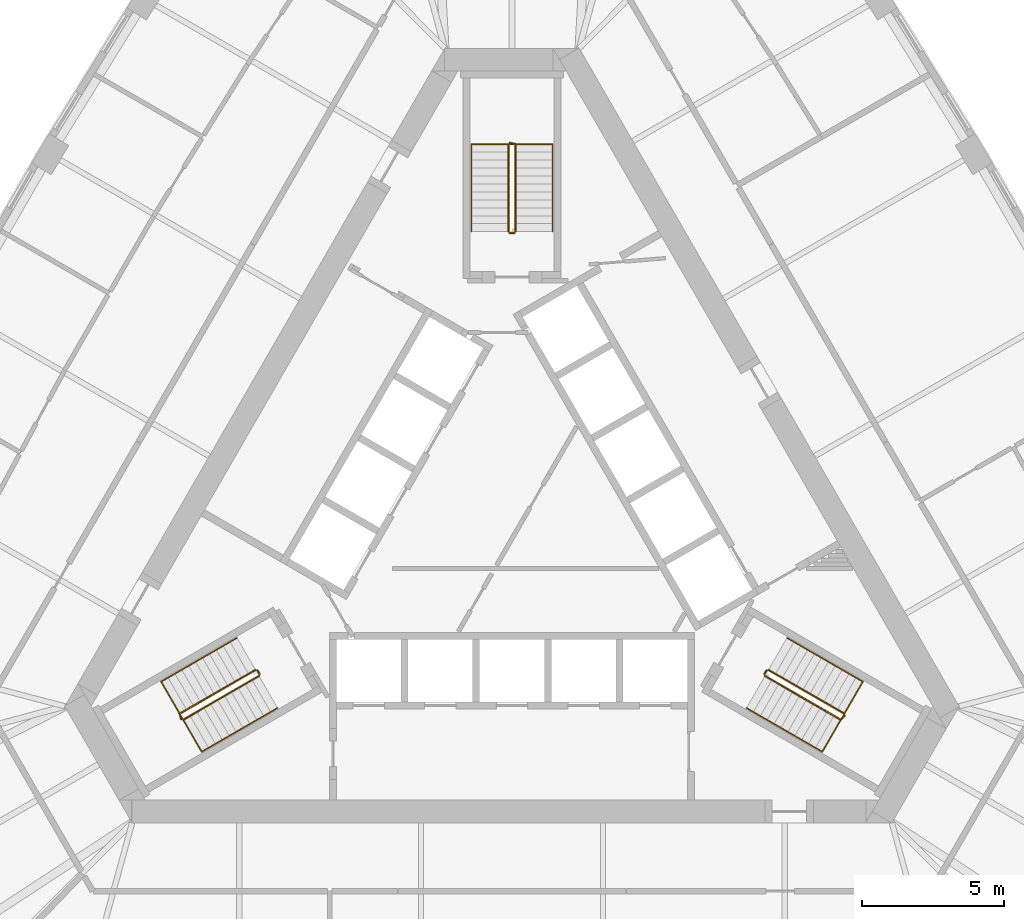
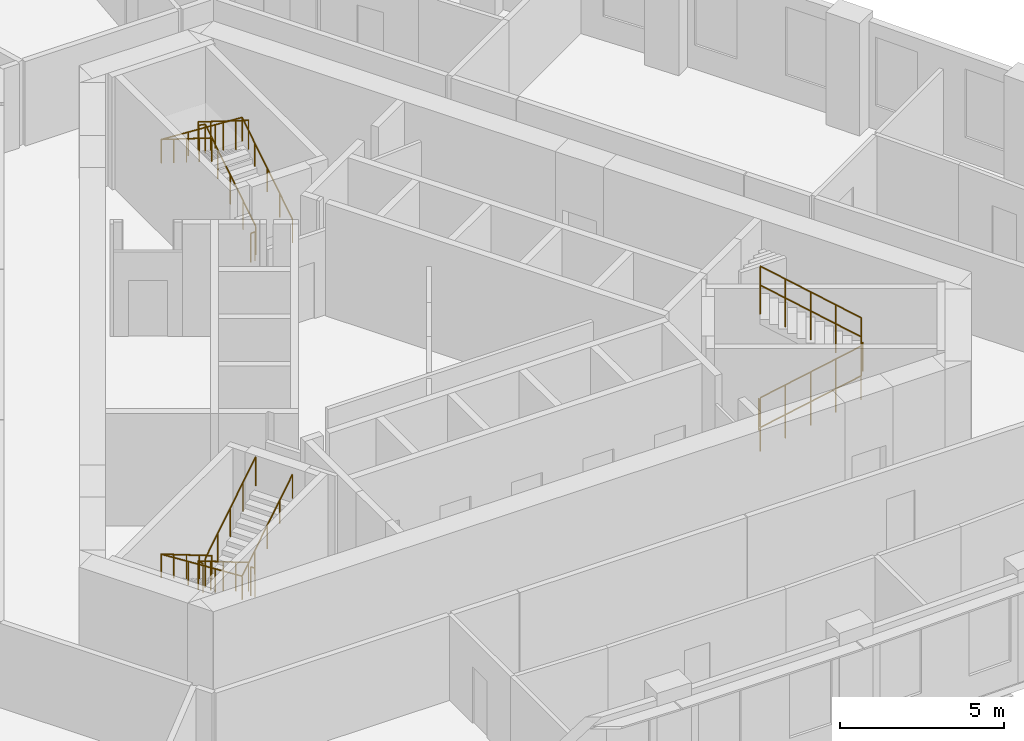
# One storey, part 11 of 11: 12 railings.
"""IFC4 building model written with IfcOpenShell, lengths in metres."""

from ifc_helpers import new_model, si_unit, direction, frame, origin, origin_2d, place, context, subcontext, project, spatial, circle, extrude, material, type_object, element, save


model = new_model("IFC4")

# Units and contexts
model_context = context("Model", 3, precision=1e-05, world=origin(), true_north=direction((0.0, 1.0)))
body_context = subcontext(model_context, "Body", "Model", "MODEL_VIEW")
ifc_project = project(units=[si_unit("LENGTHUNIT", "METRE"), si_unit("AREAUNIT", "SQUARE_METRE"), si_unit("VOLUMEUNIT", "CUBIC_METRE"), si_unit("PLANEANGLEUNIT", "RADIAN"), si_unit("MASSUNIT", "GRAM", prefix="KILO")], contexts=[model_context])

# Site, building, storey
site_placement = place(None, origin())
site = spatial("IfcSite", under=ifc_project, at=site_placement, CompositionType="ELEMENT")
building_placement = place(site_placement, origin())
building = spatial("IfcBuilding", under=site, at=building_placement, Name="Mestral Congress Tower", CompositionType="ELEMENT")
storey_placement = place(building_placement, frame((0.0, 0.0, 166.800048828125)))
storey = spatial("IfcBuildingStorey", under=building, at=storey_placement, Name="L39", CompositionType="ELEMENT", Elevation=166.800048828125)

# Railings
ifc_material_1 = material(Name="Steel balustrade", Category="steel")
railing_type_1 = type_object("IfcRailingType", Name="Stair guard 1100", PredefinedType="GUARDRAIL", material=ifc_material_1)
railing_1_placement = place(storey_placement, frame((8.90087890625, -5.283203125, 0.175048828125)))
element("IfcRailing", 1, at=railing_1_placement, inside=storey, type_object=railing_type_1, Name="L39 ST1 stair guard 1", PredefinedType="GUARDRAIL", context=body_context, shape_type="SweptSolid", body=[
    extrude(circle(Radius=0.02392578125, at=origin_2d()), frame((0.0, 0.0, 1.076171875), z_axis=(0.734390191396, -0.42403051051, 0.529970917068), x_axis=(0.500026652407, 0.866010015463, 0.0)), (0.0, 0.0, 1.0), 3.6318359375),
    extrude(circle(Radius=0.02392578125, at=origin_2d()), frame((2.667236328125, -1.5400390625, 3.0009765625), z_axis=(0.695164929852, 0.718850276695, 0.0), x_axis=(-0.718850276695, 0.695164929852, 0.0)), (0.0, 0.0, 1.0), 0.2060546875),
    extrude(circle(Radius=0.02099609375, at=origin_2d()), origin(), (0.0, 0.0, 1.0), 1.052001953125),
    extrude(circle(Radius=0.02099609375, at=origin_2d()), frame((0.666748046875, -0.385009765625, 0.481201171875)), (0.0, 0.0, 1.0), 1.052001953125),
    extrude(circle(Radius=0.02099609375, at=origin_2d()), frame((1.33349609375, -0.77001953125, 0.96240234375)), (0.0, 0.0, 1.0), 1.052001953125),
    extrude(circle(Radius=0.02099609375, at=origin_2d()), frame((2.00048828125, -1.155029296875, 1.443603515625)), (0.0, 0.0, 1.0), 1.052001953125),
    extrude(circle(Radius=0.02099609375, at=origin_2d()), frame((2.667236328125, -1.5400390625, 1.9248046875)), (0.0, 0.0, 1.0), 1.052001953125),
    extrude(circle(Radius=0.02099609375, at=origin_2d()), frame((2.810546875, -1.391845703125, 1.9248046875)), (0.0, 0.0, 1.0), 1.052001953125),
])
railing_2_placement = place(storey_placement, frame((11.693115234375, -6.606689453125, 2.27490234375)))
element("IfcRailing", 2, at=railing_2_placement, inside=storey, type_object=railing_type_1, Name="L39 ST1 stair guard 2", PredefinedType="GUARDRAIL", context=body_context, shape_type="SweptSolid", body=[
    extrude(circle(Radius=0.02392578125, at=origin_2d()), frame((0.0, 0.0, 1.076171875), z_axis=(-0.734364028329, 0.424015404183, 0.530019255228), x_axis=(-0.500026652407, -0.866010015463, 0.0)), (0.0, 0.0, 1.0), 3.632080078125),
    extrude(circle(Radius=0.02099609375, at=origin_2d()), origin(), (0.0, 0.0, 1.0), 1.052001953125),
    extrude(circle(Radius=0.02099609375, at=origin_2d()), frame((-0.666748046875, 0.385009765625, 0.481201171875)), (0.0, 0.0, 1.0), 1.052001953125),
    extrude(circle(Radius=0.02099609375, at=origin_2d()), frame((-1.33349609375, 0.77001953125, 0.96240234375)), (0.0, 0.0, 1.0), 1.052001953125),
    extrude(circle(Radius=0.02099609375, at=origin_2d()), frame((-2.00048828125, 1.155029296875, 1.44384765625)), (0.0, 0.0, 1.0), 1.052001953125),
    extrude(circle(Radius=0.02099609375, at=origin_2d()), frame((-2.667236328125, 1.5400390625, 1.925048828125)), (0.0, 0.0, 1.0), 1.052001953125),
])
railing_3_placement = place(storey_placement, frame((8.882568359375, -5.21484375, 0.0)))
element("IfcRailing", 3, at=railing_3_placement, inside=storey, type_object=railing_type_1, Name="L39 ST1 stair guard 3", PredefinedType="GUARDRAIL", context=body_context, shape_type="SweptSolid", body=[
    extrude(circle(Radius=0.02392578125, at=origin_2d()), frame((0.0, 0.0, 1.076171875), z_axis=(0.499816412211, 0.866131372301, 0.0), x_axis=(-0.866131372301, 0.499816412211, 0.0)), (0.0, 0.0, 1.0), 0.14990234375),
    extrude(circle(Radius=0.02099609375, at=origin_2d()), origin(), (0.0, 0.0, 1.0), 1.052001953125),
    extrude(circle(Radius=0.02099609375, at=origin_2d()), frame((0.074951171875, 0.1298828125, 0.0)), (0.0, 0.0, 1.0), 1.052001953125),
])
railing_4_placement = place(storey_placement, frame((0.125, 10.35009765625, 0.175048828125)))
element("IfcRailing", 4, at=railing_4_placement, inside=storey, type_object=railing_type_1, Name="L39 ST2 stair guard 1", PredefinedType="GUARDRAIL", context=body_context, shape_type="SweptSolid", body=[
    extrude(circle(Radius=0.02392578125, at=origin_2d()), frame((0.0, 0.0, 1.076171875), z_axis=(0.0, 0.848009633417, 0.529980812513), x_axis=(-1.0, 0.0, 0.0)), (0.0, 0.0, 1.0), 3.6318359375),
    extrude(circle(Radius=0.02392578125, at=origin_2d()), frame((0.0, 3.079833984375, 3.0009765625), z_axis=(-0.970072785993, 0.242814311512, 0.0), x_axis=(-0.242814311512, -0.970072785993, 0.0)), (0.0, 0.0, 1.0), 0.2060546875),
    extrude(circle(Radius=0.02099609375, at=origin_2d()), origin(), (0.0, 0.0, 1.0), 1.052001953125),
    extrude(circle(Radius=0.02099609375, at=origin_2d()), frame((0.0, 0.77001953125, 0.481201171875)), (0.0, 0.0, 1.0), 1.052001953125),
    extrude(circle(Radius=0.02099609375, at=origin_2d()), frame((0.0, 1.5400390625, 0.96240234375)), (0.0, 0.0, 1.0), 1.052001953125),
    extrude(circle(Radius=0.02099609375, at=origin_2d()), frame((0.0, 2.309814453125, 1.443603515625)), (0.0, 0.0, 1.0), 1.052001953125),
    extrude(circle(Radius=0.02099609375, at=origin_2d()), frame((0.0, 3.079833984375, 1.9248046875)), (0.0, 0.0, 1.0), 1.052001953125),
    extrude(circle(Radius=0.02099609375, at=origin_2d()), frame((-0.199951171875, 3.1298828125, 1.9248046875)), (0.0, 0.0, 1.0), 1.052001953125),
])
railing_5_placement = place(storey_placement, frame((-0.125, 13.429931640625, 2.27490234375)))
element("IfcRailing", 5, at=railing_5_placement, inside=storey, type_object=railing_type_1, Name="L39 ST2 stair guard 2", PredefinedType="GUARDRAIL", context=body_context, shape_type="SweptSolid", body=[
    extrude(circle(Radius=0.02392578125, at=origin_2d()), frame((0.0, 0.0, 1.076171875), z_axis=(0.0, -0.847979421464, 0.530029150871), x_axis=(1.0, 0.0, 0.0)), (0.0, 0.0, 1.0), 3.632080078125),
    extrude(circle(Radius=0.02099609375, at=origin_2d()), origin(), (0.0, 0.0, 1.0), 1.052001953125),
    extrude(circle(Radius=0.02099609375, at=origin_2d()), frame((0.0, -0.77001953125, 0.481201171875)), (0.0, 0.0, 1.0), 1.052001953125),
    extrude(circle(Radius=0.02099609375, at=origin_2d()), frame((0.0, -1.5400390625, 0.96240234375)), (0.0, 0.0, 1.0), 1.052001953125),
    extrude(circle(Radius=0.02099609375, at=origin_2d()), frame((0.0, -2.309814453125, 1.44384765625)), (0.0, 0.0, 1.0), 1.052001953125),
    extrude(circle(Radius=0.02099609375, at=origin_2d()), frame((0.0, -3.079833984375, 1.925048828125)), (0.0, 0.0, 1.0), 1.052001953125),
])
railing_6_placement = place(storey_placement, frame((0.074951171875, 10.300048828125, 0.0)))
element("IfcRailing", 6, at=railing_6_placement, inside=storey, type_object=railing_type_1, Name="L39 ST2 stair guard 3", PredefinedType="GUARDRAIL", context=body_context, shape_type="SweptSolid", body=[
    extrude(circle(Radius=0.02392578125, at=origin_2d()), frame((0.0, 0.0, 1.076171875), z_axis=(-1.0, 0.0, 0.0), x_axis=(0.0, -1.0, 0.0)), (0.0, 0.0, 1.0), 0.14990234375),
    extrude(circle(Radius=0.02099609375, at=origin_2d()), origin(), (0.0, 0.0, 1.0), 1.052001953125),
    extrude(circle(Radius=0.02099609375, at=origin_2d()), frame((-0.14990234375, 0.0, 0.0)), (0.0, 0.0, 1.0), 1.052001953125),
])
railing_7_placement = place(storey_placement, frame((-9.02587890625, -5.066650390625, 0.175048828125)))
element("IfcRailing", 7, at=railing_7_placement, inside=storey, type_object=railing_type_1, Name="L39 ST3 stair guard 1", PredefinedType="GUARDRAIL", context=body_context, shape_type="SweptSolid", body=[
    extrude(circle(Radius=0.02392578125, at=origin_2d()), frame((0.0, 0.0, 1.076171875), z_axis=(-0.734390191396, -0.42403051051, 0.529970917068), x_axis=(0.500026652407, -0.866010015463, 0.0)), (0.0, 0.0, 1.0), 3.6318359375),
    extrude(circle(Radius=0.02392578125, at=origin_2d()), frame((-2.667236328125, -1.5400390625, 3.0009765625), z_axis=(0.274721127897, -0.961523947641, 0.0), x_axis=(0.961523947641, 0.274721127897, 0.0)), (0.0, 0.0, 1.0), 0.2060546875),
    extrude(circle(Radius=0.02099609375, at=origin_2d()), origin(), (0.0, 0.0, 1.0), 1.052001953125),
    extrude(circle(Radius=0.02099609375, at=origin_2d()), frame((-0.666748046875, -0.385009765625, 0.481201171875)), (0.0, 0.0, 1.0), 1.052001953125),
    extrude(circle(Radius=0.02099609375, at=origin_2d()), frame((-1.33349609375, -0.77001953125, 0.96240234375)), (0.0, 0.0, 1.0), 1.052001953125),
    extrude(circle(Radius=0.02099609375, at=origin_2d()), frame((-2.00048828125, -1.155029296875, 1.443603515625)), (0.0, 0.0, 1.0), 1.052001953125),
    extrude(circle(Radius=0.02099609375, at=origin_2d()), frame((-2.667236328125, -1.5400390625, 1.9248046875)), (0.0, 0.0, 1.0), 1.052001953125),
    extrude(circle(Radius=0.02099609375, at=origin_2d()), frame((-2.610595703125, -1.73828125, 1.9248046875)), (0.0, 0.0, 1.0), 1.052001953125),
])
railing_8_placement = place(storey_placement, frame((-11.568115234375, -6.8232421875, 2.27490234375)))
element("IfcRailing", 8, at=railing_8_placement, inside=storey, type_object=railing_type_1, Name="L39 ST3 stair guard 2", PredefinedType="GUARDRAIL", context=body_context, shape_type="SweptSolid", body=[
    extrude(circle(Radius=0.02392578125, at=origin_2d()), frame((0.0, 0.0, 1.076171875), z_axis=(0.734364028329, 0.424015404183, 0.530019255228), x_axis=(-0.500026652407, 0.866010015463, 0.0)), (0.0, 0.0, 1.0), 3.632080078125),
    extrude(circle(Radius=0.02099609375, at=origin_2d()), origin(), (0.0, 0.0, 1.0), 1.052001953125),
    extrude(circle(Radius=0.02099609375, at=origin_2d()), frame((0.666748046875, 0.385009765625, 0.481201171875)), (0.0, 0.0, 1.0), 1.052001953125),
    extrude(circle(Radius=0.02099609375, at=origin_2d()), frame((1.33349609375, 0.77001953125, 0.96240234375)), (0.0, 0.0, 1.0), 1.052001953125),
    extrude(circle(Radius=0.02099609375, at=origin_2d()), frame((2.00048828125, 1.155029296875, 1.44384765625)), (0.0, 0.0, 1.0), 1.052001953125),
    extrude(circle(Radius=0.02099609375, at=origin_2d()), frame((2.667236328125, 1.5400390625, 1.925048828125)), (0.0, 0.0, 1.0), 1.052001953125),
])
railing_9_placement = place(storey_placement, frame((-8.95751953125, -5.0849609375, 0.0)))
element("IfcRailing", 9, at=railing_9_placement, inside=storey, type_object=railing_type_1, Name="L39 ST3 stair guard 3", PredefinedType="GUARDRAIL", context=body_context, shape_type="SweptSolid", body=[
    extrude(circle(Radius=0.02392578125, at=origin_2d()), frame((0.0, 0.0, 1.076171875), z_axis=(0.499816412211, -0.866131372301, 0.0), x_axis=(0.866131372301, 0.499816412211, 0.0)), (0.0, 0.0, 1.0), 0.14990234375),
    extrude(circle(Radius=0.02099609375, at=origin_2d()), origin(), (0.0, 0.0, 1.0), 1.052001953125),
    extrude(circle(Radius=0.02099609375, at=origin_2d()), frame((0.074951171875, -0.1298828125, 0.0)), (0.0, 0.0, 1.0), 1.052001953125),
])
ifc_material_2 = material(Name="Steel handrail", Category="steel")
railing_type_2 = type_object("IfcRailingType", Name="Stair handrail 900", PredefinedType="HANDRAIL", material=ifc_material_2)
railing_10_placement = place(storey_placement, frame((8.2509765625, -6.4091796875, 0.175048828125)))
element("IfcRailing", 10, at=railing_10_placement, inside=storey, type_object=railing_type_2, Name="L39 ST1 stair handrail 1", PredefinedType="HANDRAIL", context=body_context, shape_type="SweptSolid", body=[
    extrude(circle(Radius=0.02392578125, at=origin_2d()), frame((0.0, 0.0, 0.8759765625), z_axis=(0.734411123532, -0.423975373557, 0.529986022693), x_axis=(0.499967199496, 0.866044340336, 0.0)), (0.0, 0.0, 1.0), 3.6318359375),
    extrude(circle(Radius=0.02392578125, at=origin_2d()), frame((2.667236328125, -1.539794921875, 2.80078125), z_axis=(0.499095769026, 0.864375386171, 0.061307463833), x_axis=(-0.866004402611, 0.500036373335, 0.0)), (0.0, 0.0, 1.0), 2.855224609375),
    extrude(circle(Radius=0.02392578125, at=origin_2d()), frame((4.09228515625, 0.92822265625, 2.9755859375), z_axis=(-0.734394994316, 0.423994474112, 0.52999309264), x_axis=(-0.499992328818, -0.866029832698, 0.0)), (0.0, 0.0, 1.0), 3.63232421875),
    extrude(circle(Radius=0.02099609375, at=origin_2d()), origin(), (0.0, 0.0, 1.0), 0.851806640625),
    extrude(circle(Radius=0.02099609375, at=origin_2d()), frame((0.666748046875, -0.385009765625, 0.481201171875)), (0.0, 0.0, 1.0), 0.851806640625),
    extrude(circle(Radius=0.02099609375, at=origin_2d()), frame((1.33349609375, -0.77001953125, 0.96240234375)), (0.0, 0.0, 1.0), 0.851806640625),
    extrude(circle(Radius=0.02099609375, at=origin_2d()), frame((2.00048828125, -1.15478515625, 1.443603515625)), (0.0, 0.0, 1.0), 0.851806640625),
    extrude(circle(Radius=0.02099609375, at=origin_2d()), frame((2.667236328125, -1.539794921875, 1.9248046875)), (0.0, 0.0, 1.0), 0.851806640625),
    extrude(circle(Radius=0.02099609375, at=origin_2d()), frame((3.142333984375, -0.717041015625, 1.983154296875)), (0.0, 0.0, 1.0), 0.851806640625),
    extrude(circle(Radius=0.02099609375, at=origin_2d()), frame((3.6171875, 0.10546875, 2.04150390625)), (0.0, 0.0, 1.0), 0.851806640625),
    extrude(circle(Radius=0.02099609375, at=origin_2d()), frame((4.09228515625, 0.92822265625, 2.099853515625)), (0.0, 0.0, 1.0), 0.851806640625),
    extrude(circle(Radius=0.02099609375, at=origin_2d()), frame((3.42529296875, 1.313232421875, 2.5810546875)), (0.0, 0.0, 1.0), 0.851806640625),
    extrude(circle(Radius=0.02099609375, at=origin_2d()), frame((2.758544921875, 1.6982421875, 3.0625)), (0.0, 0.0, 1.0), 0.851806640625),
    extrude(circle(Radius=0.02099609375, at=origin_2d()), frame((2.091796875, 2.083251953125, 3.543701171875)), (0.0, 0.0, 1.0), 0.851806640625),
    extrude(circle(Radius=0.02099609375, at=origin_2d()), frame((1.4248046875, 2.46826171875, 4.02490234375)), (0.0, 0.0, 1.0), 0.851806640625),
])
railing_11_placement = place(storey_placement, frame((1.425048828125, 10.35009765625, 0.175048828125)))
element("IfcRailing", 11, at=railing_11_placement, inside=storey, type_object=railing_type_2, Name="L39 ST2 stair handrail 1", PredefinedType="HANDRAIL", context=body_context, shape_type="SweptSolid", body=[
    extrude(circle(Radius=0.02392578125, at=origin_2d()), frame((0.0, 0.0, 0.8759765625), z_axis=(0.0, 0.848009633417, 0.529980812513), x_axis=(-1.0, 0.0, 0.0)), (0.0, 0.0, 1.0), 3.6318359375),
    extrude(circle(Radius=0.02392578125, at=origin_2d()), frame((0.0, 3.079833984375, 2.80078125), z_axis=(-0.998119201106, 0.0, 0.061303021003), x_axis=(0.0, -1.0, 0.0)), (0.0, 0.0, 1.0), 2.85546875),
    extrude(circle(Radius=0.02392578125, at=origin_2d()), frame((-2.85009765625, 3.079833984375, 2.9755859375), z_axis=(0.0, -0.847979421464, 0.530029150871), x_axis=(1.0, 0.0, 0.0)), (0.0, 0.0, 1.0), 3.632080078125),
    extrude(circle(Radius=0.02099609375, at=origin_2d()), origin(), (0.0, 0.0, 1.0), 0.851806640625),
    extrude(circle(Radius=0.02099609375, at=origin_2d()), frame((0.0, 0.77001953125, 0.481201171875)), (0.0, 0.0, 1.0), 0.851806640625),
    extrude(circle(Radius=0.02099609375, at=origin_2d()), frame((0.0, 1.5400390625, 0.96240234375)), (0.0, 0.0, 1.0), 0.851806640625),
    extrude(circle(Radius=0.02099609375, at=origin_2d()), frame((0.0, 2.309814453125, 1.443603515625)), (0.0, 0.0, 1.0), 0.851806640625),
    extrude(circle(Radius=0.02099609375, at=origin_2d()), frame((0.0, 3.079833984375, 1.9248046875)), (0.0, 0.0, 1.0), 0.851806640625),
    extrude(circle(Radius=0.02099609375, at=origin_2d()), frame((-0.949951171875, 3.079833984375, 1.983154296875)), (0.0, 0.0, 1.0), 0.851806640625),
    extrude(circle(Radius=0.02099609375, at=origin_2d()), frame((-1.900146484375, 3.079833984375, 2.04150390625)), (0.0, 0.0, 1.0), 0.851806640625),
    extrude(circle(Radius=0.02099609375, at=origin_2d()), frame((-2.85009765625, 3.079833984375, 2.099853515625)), (0.0, 0.0, 1.0), 0.851806640625),
    extrude(circle(Radius=0.02099609375, at=origin_2d()), frame((-2.85009765625, 2.309814453125, 2.5810546875)), (0.0, 0.0, 1.0), 0.851806640625),
    extrude(circle(Radius=0.02099609375, at=origin_2d()), frame((-2.85009765625, 1.5400390625, 3.0625)), (0.0, 0.0, 1.0), 0.851806640625),
    extrude(circle(Radius=0.02099609375, at=origin_2d()), frame((-2.85009765625, 0.77001953125, 3.543701171875)), (0.0, 0.0, 1.0), 0.851806640625),
    extrude(circle(Radius=0.02099609375, at=origin_2d()), frame((-2.85009765625, 0.0, 4.02490234375)), (0.0, 0.0, 1.0), 0.851806640625),
])
railing_12_placement = place(storey_placement, frame((-9.67578125, -3.94091796875, 0.175048828125)))
element("IfcRailing", 12, at=railing_12_placement, inside=storey, type_object=railing_type_2, Name="L39 ST3 stair handrail 1", PredefinedType="HANDRAIL", context=body_context, shape_type="SweptSolid", body=[
    extrude(circle(Radius=0.02392578125, at=origin_2d()), frame((0.0, 0.0, 0.8759765625), z_axis=(-0.734421155904, -0.424009578203, 0.529944755001), x_axis=(0.499992328818, -0.866029832698, 0.0)), (0.0, 0.0, 1.0), 3.632080078125),
    extrude(circle(Radius=0.02392578125, at=origin_2d()), frame((-2.66748046875, -1.5400390625, 2.80078125), z_axis=(0.499095769026, -0.864375386171, 0.061307463833), x_axis=(0.866004402611, 0.500036373335, 0.0)), (0.0, 0.0, 1.0), 2.855224609375),
    extrude(circle(Radius=0.02392578125, at=origin_2d()), frame((-1.242431640625, -4.008056640625, 2.9755859375), z_axis=(0.734384958227, 0.423960268333, 0.530034361155), x_axis=(-0.499967199496, 0.866044340336, 0.0)), (0.0, 0.0, 1.0), 3.6318359375),
    extrude(circle(Radius=0.02099609375, at=origin_2d()), origin(), (0.0, 0.0, 1.0), 0.851806640625),
    extrude(circle(Radius=0.02099609375, at=origin_2d()), frame((-0.6669921875, -0.385009765625, 0.481201171875)), (0.0, 0.0, 1.0), 0.851806640625),
    extrude(circle(Radius=0.02099609375, at=origin_2d()), frame((-1.333740234375, -0.77001953125, 0.96240234375)), (0.0, 0.0, 1.0), 0.851806640625),
    extrude(circle(Radius=0.02099609375, at=origin_2d()), frame((-2.00048828125, -1.155029296875, 1.443603515625)), (0.0, 0.0, 1.0), 0.851806640625),
    extrude(circle(Radius=0.02099609375, at=origin_2d()), frame((-2.66748046875, -1.5400390625, 1.9248046875)), (0.0, 0.0, 1.0), 0.851806640625),
    extrude(circle(Radius=0.02099609375, at=origin_2d()), frame((-2.1923828125, -2.36279296875, 1.983154296875)), (0.0, 0.0, 1.0), 0.851806640625),
    extrude(circle(Radius=0.02099609375, at=origin_2d()), frame((-1.717529296875, -3.185302734375, 2.04150390625)), (0.0, 0.0, 1.0), 0.851806640625),
    extrude(circle(Radius=0.02099609375, at=origin_2d()), frame((-1.242431640625, -4.008056640625, 2.099853515625)), (0.0, 0.0, 1.0), 0.851806640625),
    extrude(circle(Radius=0.02099609375, at=origin_2d()), frame((-0.57568359375, -3.623046875, 2.5810546875)), (0.0, 0.0, 1.0), 0.851806640625),
    extrude(circle(Radius=0.02099609375, at=origin_2d()), frame((0.09130859375, -3.23828125, 3.0625)), (0.0, 0.0, 1.0), 0.851806640625),
    extrude(circle(Radius=0.02099609375, at=origin_2d()), frame((0.758056640625, -2.853271484375, 3.543701171875)), (0.0, 0.0, 1.0), 0.851806640625),
    extrude(circle(Radius=0.02099609375, at=origin_2d()), frame((1.4248046875, -2.46826171875, 4.02490234375)), (0.0, 0.0, 1.0), 0.851806640625),
])

save(model, "model.ifc")
